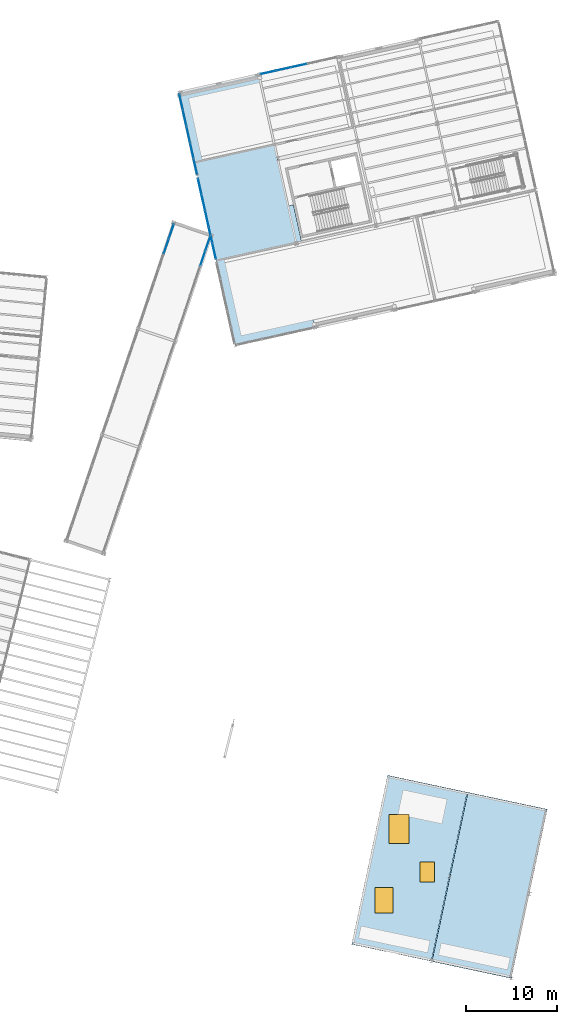
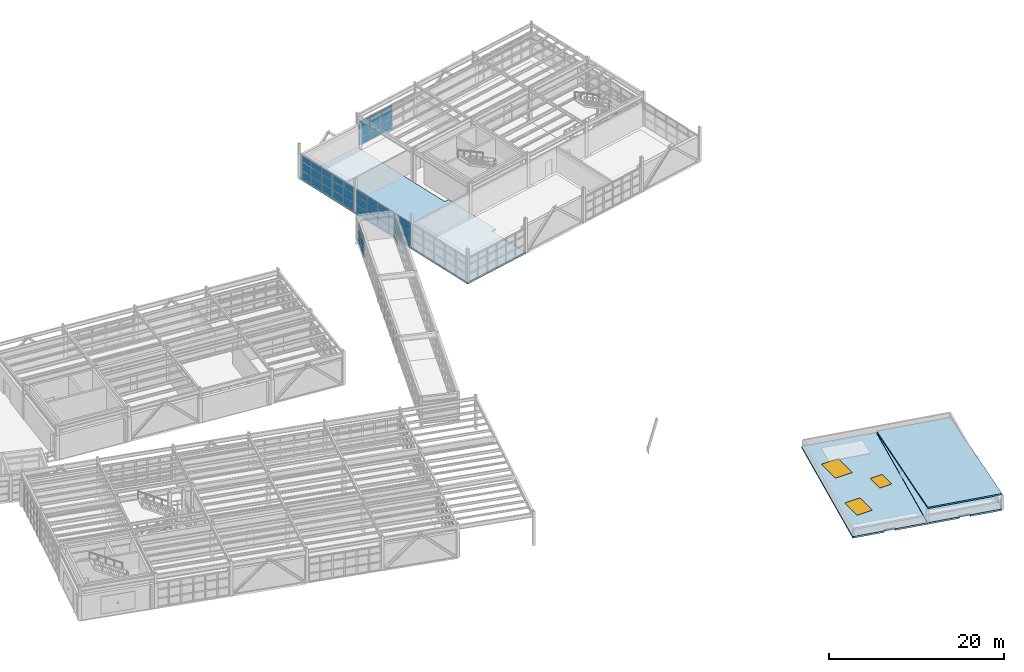
# One storey, part 71 of 102: 49 plates, 4 slabs, 3 windows, 3 openings, 5 elements without a shape of their own.
"""IFC4 building model written with IfcOpenShell, lengths in metres."""

import ifcopenshell
import ifcopenshell.guid

model = None  # the IFC model being written
_history = None  # IfcOwnerHistory: only IFC2X3 demands one
_inside = {}  # id of a spatial element -> (the spatial element, [elements in it])
_under = {}  # id of a project, library or spatial element -> (it, [spatial elements below it])
_declared = {}  # id of a project -> (the project, [libraries it declares])
_typed = {}  # id of a type object -> (the type object, [elements of that type])
_made_of = {}  # id of a material, layer set ... -> (it, [elements and type objects made of it])


def new_model(schema):
    """Start an empty IFC model of exactly this schema.

    Asked for "IFC4X3", IfcOpenShell would pick the latest addendum, in which some entities
    have other attributes; the version numbers below select the first issue.
    IFC2X3 requires an IfcOwnerHistory on every rooted entity: one is made here for all.
    """
    global model, _history
    if schema == "IFC4X3":
        model = ifcopenshell.file(schema_version=(4, 3, 0, 0))
    else:
        model = ifcopenshell.file(schema=schema)
    _inside.clear()
    _under.clear()
    _declared.clear()
    _typed.clear()
    _made_of.clear()
    _history = None
    if model.schema == "IFC2X3":
        org = make("IfcOrganization", Name="unknown")
        user = make(
            "IfcPersonAndOrganization",
            ThePerson=make("IfcPerson", FamilyName="unknown"),
            TheOrganization=org,
        )
        app = make(
            "IfcApplication",
            ApplicationDeveloper=org,
            Version="unknown",
            ApplicationFullName="unknown",
            ApplicationIdentifier="unknown",
        )
        _history = make(
            "IfcOwnerHistory",
            OwningUser=user,
            OwningApplication=app,
            ChangeAction="ADDED",
            CreationDate=0,
        )
    return model


def make(cls, **values):
    """One entity of the class cls with the attributes given. An attribute that is None is left unset."""
    return model.create_entity(
        cls, **{name: value for name, value in values.items() if value is not None}
    )


def rooted(cls, **values):
    """An entity with a GlobalId (a new one), such as an element, a storey or a relation."""
    return make(cls, GlobalId=ifcopenshell.guid.new(), OwnerHistory=_history, **values)


def si_unit(unit_type, name, prefix=None):
    """IfcSIUnit, for example si_unit("LENGTHUNIT", "METRE", prefix="MILLI")."""
    return make("IfcSIUnit", UnitType=unit_type, Prefix=prefix, Name=name)


def assignment(units):
    """IfcUnitAssignment: the units of a project."""
    return None if units is None else make("IfcUnitAssignment", Units=units)


def point(xyz):
    """IfcCartesianPoint."""
    return None if xyz is None else make("IfcCartesianPoint", Coordinates=xyz)


def direction(xyz):
    """IfcDirection."""
    return None if xyz is None else make("IfcDirection", DirectionRatios=xyz)


def frame(location, z_axis=None, x_axis=None):
    """IfcAxis2Placement3D, a coordinate frame: its origin and axes. An axis left out is left unset."""
    return make(
        "IfcAxis2Placement3D",
        Location=point(location),
        Axis=direction(z_axis),
        RefDirection=direction(x_axis),
    )


def frame_2d(location, x_axis=None):
    """IfcAxis2Placement2D, a coordinate frame in the plane: its origin and x axis."""
    return make(
        "IfcAxis2Placement2D", Location=point(location), RefDirection=direction(x_axis)
    )


def origin():
    """The frame at (0, 0, 0) with its axes left unset."""
    return frame((0.0, 0.0, 0.0))


def origin_2d():
    """The frame at (0, 0) in the plane with its x axis left unset."""
    return frame_2d((0.0, 0.0))


def place(relative_to, where):
    """IfcLocalPlacement: puts the frame where relative to a parent placement (None: the world)."""
    return make(
        "IfcLocalPlacement", PlacementRelTo=relative_to, RelativePlacement=where
    )


def context(
    kind, dimensions, precision=None, world=None, true_north=None, identifier=None
):
    """IfcGeometricRepresentationContext, for example the 3D "Model" context."""
    return make(
        "IfcGeometricRepresentationContext",
        ContextIdentifier=identifier,
        ContextType=kind,
        CoordinateSpaceDimension=dimensions,
        Precision=precision,
        WorldCoordinateSystem=world,
        TrueNorth=true_north,
    )


def subcontext(parent, identifier, kind, view, scale=None):
    """IfcGeometricRepresentationSubContext, for example "Body" below "Model"."""
    return make(
        "IfcGeometricRepresentationSubContext",
        ContextIdentifier=identifier,
        ContextType=kind,
        ParentContext=parent,
        TargetScale=scale,
        TargetView=view,
    )


def project(units=None, contexts=None):
    """IfcProject with its units and contexts."""
    return rooted(
        "IfcProject",
        Name="project",
        RepresentationContexts=contexts,
        UnitsInContext=assignment(units),
    )


def spatial(cls, under=None, at=None, **own):
    """A site, building, storey or space (cls), placed at a placement, below another one or the project."""
    s = rooted(cls, ObjectPlacement=at, **own)
    if under is not None:
        _under.setdefault(under.id(), (under, []))[1].append(s)
    return s


def polyline(points):
    """IfcPolyline through the points."""
    return make("IfcPolyline", Points=[point(p) for p in points])


def profile(cls, at=None, kind="AREA", **sizes):
    """A parametric profile (cls). Its sizes go by their IFC names, for example OverallWidth=200.0."""
    return make(cls, ProfileType=kind, Position=at, **sizes)


def rectangle(**sizes):
    """IfcRectangleProfileDef."""
    return profile("IfcRectangleProfileDef", **sizes)


def outline(outer, holes=None, kind="AREA"):
    """IfcArbitraryClosedProfileDef: a profile drawn as a closed curve; with holes, ...WithVoids."""
    if holes is None:
        return make("IfcArbitraryClosedProfileDef", ProfileType=kind, OuterCurve=outer)
    return make(
        "IfcArbitraryProfileDefWithVoids",
        ProfileType=kind,
        OuterCurve=outer,
        InnerCurves=holes,
    )


def extrude(swept, where, along, depth):
    """IfcExtrudedAreaSolid: the profile swept, set in the frame where, extruded along a direction by depth."""
    return make(
        "IfcExtrudedAreaSolid",
        SweptArea=swept,
        Position=where,
        ExtrudedDirection=direction(along),
        Depth=depth,
    )


def shape(context_of_items, identifier, shape_type, items):
    """IfcShapeRepresentation: the items that make up one representation, for example the "Body"."""
    return make(
        "IfcShapeRepresentation",
        ContextOfItems=context_of_items,
        RepresentationIdentifier=identifier,
        RepresentationType=shape_type,
        Items=items,
    )


def material(Name=None, Category=None):
    """IfcMaterial."""
    return make("IfcMaterial", Name=Name, Category=Category)


def layer(
    of_material, thickness, ventilated=None, Name=None, Category=None, Priority=None
):
    """IfcMaterialLayer: one layer of a wall or slab, of a material (None: an air gap)."""
    return make(
        "IfcMaterialLayer",
        Material=of_material,
        LayerThickness=thickness,
        IsVentilated=ventilated,
        Name=Name,
        Category=Category,
        Priority=Priority,
    )


def layer_set(layers, Name=None):
    """IfcMaterialLayerSet."""
    return make("IfcMaterialLayerSet", MaterialLayers=layers, LayerSetName=Name)


def made_of(thing, what):
    """Note that an element or type object is made of a material, layer set ...; save() writes the relation."""
    if what is not None:
        _made_of.setdefault(what.id(), (what, []))[1].append(thing)
    return thing


def type_object(cls, material=None, **own):
    """A type object (cls), such as IfcWallType, which elements share."""
    return made_of(rooted(cls, **own), material)


def element(
    cls,
    number,
    at=None,
    inside=None,
    cuts=None,
    type_object=None,
    material=None,
    context=None,
    identifier="Body",
    shape_type=None,
    held_by="IfcProductDefinitionShape",
    body=None,
    shapes=None,
    **own,
):
    """One element of the class cls, such as IfcWall. Its Tag is "e" and its number.

    at: its placement. inside: the storey or other place that contains it. cuts: it is an
    opening in that element (IfcRelVoidsElement). A single representation is given by context,
    identifier, shape_type and body (its items); several are given by shapes. held_by: the class
    of the entity that holds the representations. save() writes the other relations.
    """
    e = rooted(cls, Tag="e%d" % number, ObjectPlacement=at, **own)
    if body is not None:
        shapes = [shape(context, identifier, shape_type, body)]
    if shapes is not None:
        e.Representation = make(held_by, Representations=shapes)
    if inside is not None:
        _inside.setdefault(inside.id(), (inside, []))[1].append(e)
    if cuts is not None:
        rooted(
            "IfcRelVoidsElement", RelatingBuildingElement=cuts, RelatedOpeningElement=e
        )
    if type_object is not None:
        _typed.setdefault(type_object.id(), (type_object, []))[1].append(e)
    return made_of(e, material)


def fill(opening, filler):
    """IfcRelFillsElement: the door or window that sits in an opening."""
    return rooted(
        "IfcRelFillsElement",
        RelatingOpeningElement=opening,
        RelatedBuildingElement=filler,
    )


def aggregate(whole, parts):
    """IfcRelAggregates: a whole, such as a stair, and the parts it consists of."""
    return rooted("IfcRelAggregates", RelatingObject=whole, RelatedObjects=parts)


def save(model, path):
    """Write the relations noted so far, then the file.

    IfcRelAggregates (storeys below a building ...), IfcRelContainedInSpatialStructure (elements
    in a storey), IfcRelDefinesByType, IfcRelAssociatesMaterial and IfcRelDeclares: one each for
    every whole, place, type object, material and project.
    """
    for whole, parts in _under.values():
        aggregate(whole, parts)
    for where, things in _inside.values():
        rooted(
            "IfcRelContainedInSpatialStructure",
            RelatedElements=things,
            RelatingStructure=where,
        )
    for kind, things in _typed.values():
        rooted("IfcRelDefinesByType", RelatedObjects=things, RelatingType=kind)
    for what, things in _made_of.values():
        rooted("IfcRelAssociatesMaterial", RelatedObjects=things, RelatingMaterial=what)
    for by, libraries in _declared.values():
        rooted("IfcRelDeclares", RelatingContext=by, RelatedDefinitions=libraries)
    model.write(path)


model = new_model("IFC4")

# Units and contexts
model_context = context("Model", 3, precision=1e-05, world=origin(), true_north=direction((0.0, 1.0)))
body_context = subcontext(model_context, "Body", "Model", "MODEL_VIEW")
ifc_project = project(units=[si_unit("LENGTHUNIT", "METRE"), si_unit("AREAUNIT", "SQUARE_METRE"), si_unit("VOLUMEUNIT", "CUBIC_METRE"), si_unit("PLANEANGLEUNIT", "RADIAN"), si_unit("MASSUNIT", "GRAM", prefix="KILO")], contexts=[model_context])

# Site, building, storey
site_placement = place(None, origin())
site = spatial("IfcSite", under=ifc_project, at=site_placement, CompositionType="ELEMENT")
building_placement = place(site_placement, origin())
building = spatial("IfcBuilding", under=site, at=building_placement, Name="Vireo Bluff Cable Station", CompositionType="ELEMENT")
storey_placement = place(building_placement, frame((0.0, 0.0, 9.60009765625)))
storey = spatial("IfcBuildingStorey", under=building, at=storey_placement, Name="L02", CompositionType="ELEMENT", Elevation=9.60009765625)

# Curtain wall, plates
ifc_material_1 = material(Name="Anodized Aluminium 6063-T6", Category="aluminium")
ifc_layer_1 = layer(ifc_material_1, 0.159912109375, Name="Anodized Aluminium 6063-T6")
ifc_layer_set_1 = layer_set([ifc_layer_1], Name="Anodized Aluminium 6063-T6")
curtain_wall_type_1 = type_object("IfcCurtainWallType", Name="CW-STICK-1850", PredefinedType="USERDEFINED", material=ifc_layer_set_1)
curtain_wall_1_placement = place(storey_placement, origin())
curtain_wall_1 = element("IfcCurtainWall", 1, at=curtain_wall_1_placement, inside=storey, type_object=curtain_wall_type_1, Name="V2 L02 west curtain wall CW-055", ObjectType="STICK CURTAIN WALL", PredefinedType="USERDEFINED")
ifc_material_2 = material(Name="Laminated Low-E Insulated Glass", Category="glass")
ifc_layer_2 = layer(ifc_material_2, 0.028076171875, Name="Laminated Low-E Insulated Glass")
ifc_layer_set_2 = layer_set([ifc_layer_2], Name="Laminated Low-E Insulated Glass")
plate_type_1 = type_object("IfcPlateType", Name="CWP-28-1", PredefinedType="CURTAIN_PANEL", material=ifc_layer_set_2)
plate_1_placement = place(storey_placement, frame((121.648681640625, 93.627197265625, 0.080078125), z_axis=(0.0, 0.0, 1.0), x_axis=(-0.216439557384, 0.976296019658, 0.0)))
plate_1 = element("IfcPlate", 2, at=plate_1_placement, type_object=plate_type_1, Name="CW-055 panel 1.1", PredefinedType="CURTAIN_PANEL", context=body_context, shape_type="SweptSolid", body=[
    extrude(rectangle(XDim=1.720458984375, YDim=0.028076171875, at=origin_2d()), origin(), (0.0, 0.0, 1.0), 1.070068359375),
])
plate_2_placement = place(storey_placement, frame((121.648681640625, 93.627197265625, 1.22998046875), z_axis=(0.0, 0.0, 1.0), x_axis=(-0.216439557384, 0.976296019658, 0.0)))
plate_2 = element("IfcPlate", 3, at=plate_2_placement, type_object=plate_type_1, Name="CW-055 panel 1.2", PredefinedType="CURTAIN_PANEL", context=body_context, shape_type="SweptSolid", body=[
    extrude(rectangle(XDim=1.720458984375, YDim=0.028076171875, at=origin_2d()), origin(), (0.0, 0.0, 1.0), 1.177978515625),
])
plate_3_placement = place(storey_placement, frame((121.648681640625, 93.627197265625, 2.48779296875), z_axis=(0.0, 0.0, 1.0), x_axis=(-0.216439557384, 0.976296019658, 0.0)))
plate_3 = element("IfcPlate", 4, at=plate_3_placement, type_object=plate_type_1, Name="CW-055 panel 1.3", PredefinedType="CURTAIN_PANEL", context=body_context, shape_type="SweptSolid", body=[
    extrude(rectangle(XDim=1.720458984375, YDim=0.028076171875, at=origin_2d()), origin(), (0.0, 0.0, 1.0), 0.83203125),
])
plate_4_placement = place(storey_placement, frame((121.254638671875, 95.404541015625, 0.080078125), z_axis=(0.0, 0.0, 1.0), x_axis=(-0.216439557384, 0.976296019658, 0.0)))
plate_4 = element("IfcPlate", 5, at=plate_4_placement, type_object=plate_type_1, Name="CW-055 panel 2.1", PredefinedType="CURTAIN_PANEL", context=body_context, shape_type="SweptSolid", body=[
    extrude(rectangle(XDim=1.760498046875, YDim=0.028076171875, at=origin_2d()), origin(), (0.0, 0.0, 1.0), 1.070068359375),
])
plate_5_placement = place(storey_placement, frame((121.254638671875, 95.404541015625, 1.22998046875), z_axis=(0.0, 0.0, 1.0), x_axis=(-0.216439557384, 0.976296019658, 0.0)))
plate_5 = element("IfcPlate", 6, at=plate_5_placement, type_object=plate_type_1, Name="CW-055 panel 2.2", PredefinedType="CURTAIN_PANEL", context=body_context, shape_type="SweptSolid", body=[
    extrude(rectangle(XDim=1.760498046875, YDim=0.028076171875, at=origin_2d()), origin(), (0.0, 0.0, 1.0), 1.177978515625),
])
plate_6_placement = place(storey_placement, frame((121.254638671875, 95.404541015625, 2.48779296875), z_axis=(0.0, 0.0, 1.0), x_axis=(-0.216439557384, 0.976296019658, 0.0)))
plate_6 = element("IfcPlate", 7, at=plate_6_placement, type_object=plate_type_1, Name="CW-055 panel 2.3", PredefinedType="CURTAIN_PANEL", context=body_context, shape_type="SweptSolid", body=[
    extrude(rectangle(XDim=1.760498046875, YDim=0.028076171875, at=origin_2d()), origin(), (0.0, 0.0, 1.0), 0.83203125),
])
plate_7_placement = place(storey_placement, frame((120.8564453125, 97.201416015625, 0.080078125), z_axis=(0.0, 0.0, 1.0), x_axis=(-0.216439557384, 0.976296019658, 0.0)))
plate_7 = element("IfcPlate", 8, at=plate_7_placement, type_object=plate_type_1, Name="CW-055 panel 3.1", PredefinedType="CURTAIN_PANEL", context=body_context, shape_type="SweptSolid", body=[
    extrude(rectangle(XDim=1.760498046875, YDim=0.028076171875, at=origin_2d()), origin(), (0.0, 0.0, 1.0), 1.070068359375),
])
plate_8_placement = place(storey_placement, frame((120.8564453125, 97.201416015625, 1.22998046875), z_axis=(0.0, 0.0, 1.0), x_axis=(-0.216439557384, 0.976296019658, 0.0)))
plate_8 = element("IfcPlate", 9, at=plate_8_placement, type_object=plate_type_1, Name="CW-055 panel 3.2", PredefinedType="CURTAIN_PANEL", context=body_context, shape_type="SweptSolid", body=[
    extrude(rectangle(XDim=1.760498046875, YDim=0.028076171875, at=origin_2d()), origin(), (0.0, 0.0, 1.0), 1.177978515625),
])
plate_9_placement = place(storey_placement, frame((120.8564453125, 97.201416015625, 2.48779296875), z_axis=(0.0, 0.0, 1.0), x_axis=(-0.216439557384, 0.976296019658, 0.0)))
plate_9 = element("IfcPlate", 10, at=plate_9_placement, type_object=plate_type_1, Name="CW-055 panel 3.3", PredefinedType="CURTAIN_PANEL", context=body_context, shape_type="SweptSolid", body=[
    extrude(rectangle(XDim=1.760498046875, YDim=0.028076171875, at=origin_2d()), origin(), (0.0, 0.0, 1.0), 0.83203125),
])
plate_10_placement = place(storey_placement, frame((120.4580078125, 98.998291015625, 0.080078125), z_axis=(0.0, 0.0, 1.0), x_axis=(-0.216439557384, 0.976296019658, 0.0)))
plate_10 = element("IfcPlate", 11, at=plate_10_placement, type_object=plate_type_1, Name="CW-055 panel 4.1", PredefinedType="CURTAIN_PANEL", context=body_context, shape_type="SweptSolid", body=[
    extrude(rectangle(XDim=1.760498046875, YDim=0.028076171875, at=origin_2d()), origin(), (0.0, 0.0, 1.0), 1.070068359375),
])
plate_11_placement = place(storey_placement, frame((120.4580078125, 98.998291015625, 1.22998046875), z_axis=(0.0, 0.0, 1.0), x_axis=(-0.216439557384, 0.976296019658, 0.0)))
plate_11 = element("IfcPlate", 12, at=plate_11_placement, type_object=plate_type_1, Name="CW-055 panel 4.2", PredefinedType="CURTAIN_PANEL", context=body_context, shape_type="SweptSolid", body=[
    extrude(rectangle(XDim=1.760498046875, YDim=0.028076171875, at=origin_2d()), origin(), (0.0, 0.0, 1.0), 1.177978515625),
])
plate_12_placement = place(storey_placement, frame((120.4580078125, 98.998291015625, 2.48779296875), z_axis=(0.0, 0.0, 1.0), x_axis=(-0.216439557384, 0.976296019658, 0.0)))
plate_12 = element("IfcPlate", 13, at=plate_12_placement, type_object=plate_type_1, Name="CW-055 panel 4.3", PredefinedType="CURTAIN_PANEL", context=body_context, shape_type="SweptSolid", body=[
    extrude(rectangle(XDim=1.760498046875, YDim=0.028076171875, at=origin_2d()), origin(), (0.0, 0.0, 1.0), 0.83203125),
])
plate_13_placement = place(storey_placement, frame((120.06396484375, 100.775634765625, 0.080078125), z_axis=(0.0, 0.0, 1.0), x_axis=(-0.216439557384, 0.976296019658, 0.0)))
plate_13 = element("IfcPlate", 14, at=plate_13_placement, type_object=plate_type_1, Name="CW-055 panel 5.1", PredefinedType="CURTAIN_PANEL", context=body_context, shape_type="SweptSolid", body=[
    extrude(rectangle(XDim=1.720458984375, YDim=0.028076171875, at=origin_2d()), origin(), (0.0, 0.0, 1.0), 1.070068359375),
])
plate_14_placement = place(storey_placement, frame((120.06396484375, 100.775634765625, 1.22998046875), z_axis=(0.0, 0.0, 1.0), x_axis=(-0.216439557384, 0.976296019658, 0.0)))
plate_14 = element("IfcPlate", 15, at=plate_14_placement, type_object=plate_type_1, Name="CW-055 panel 5.2", PredefinedType="CURTAIN_PANEL", context=body_context, shape_type="SweptSolid", body=[
    extrude(rectangle(XDim=1.720458984375, YDim=0.028076171875, at=origin_2d()), origin(), (0.0, 0.0, 1.0), 1.177978515625),
])
plate_15_placement = place(storey_placement, frame((120.06396484375, 100.775634765625, 2.48779296875), z_axis=(0.0, 0.0, 1.0), x_axis=(-0.216439557384, 0.976296019658, 0.0)))
plate_15 = element("IfcPlate", 16, at=plate_15_placement, type_object=plate_type_1, Name="CW-055 panel 5.3", PredefinedType="CURTAIN_PANEL", context=body_context, shape_type="SweptSolid", body=[
    extrude(rectangle(XDim=1.720458984375, YDim=0.028076171875, at=origin_2d()), origin(), (0.0, 0.0, 1.0), 0.83203125),
])
aggregate(curtain_wall_1, [plate_1, plate_2, plate_3, plate_4, plate_5, plate_6, plate_7, plate_8, plate_9, plate_10, plate_11, plate_12, plate_13, plate_14, plate_15])

ifc_layer_3 = layer(ifc_material_1, 0.159912109375, Name="Anodized Aluminium 6063-T6")
ifc_layer_set_3 = layer_set([ifc_layer_3], Name="Anodized Aluminium 6063-T6")
curtain_wall_type_2 = type_object("IfcCurtainWallType", Name="CW-STICK-1750", PredefinedType="USERDEFINED", material=ifc_layer_set_3)
curtain_wall_2_placement = place(storey_placement, origin())
curtain_wall_2 = element("IfcCurtainWall", 17, at=curtain_wall_2_placement, inside=storey, type_object=curtain_wall_type_2, Name="SKYBR L02 HAUL-DRIVE-3L curtain wall CW-150", ObjectType="STICK CURTAIN WALL", PredefinedType="USERDEFINED")
plate_16_placement = place(storey_placement, frame((122.4541015625, 83.548828125, 2.103515625), z_axis=(0.0, 0.0, 1.0), x_axis=(0.320353719222, 0.947297996715, 0.0)))
plate_16 = element("IfcPlate", 18, at=plate_16_placement, type_object=plate_type_1, Name="CW-150 panel 6.3", PredefinedType="CURTAIN_PANEL", context=body_context, shape_type="SweptSolid", body=[
    extrude(rectangle(XDim=1.6650390625, YDim=0.028076171875, at=origin_2d()), origin(), (0.0, 0.0, 1.0), 0.71630859375),
])
plate_17_placement = place(storey_placement, frame((123.001953125, 85.168701171875, 0.059814453125), z_axis=(0.0, 0.0, 1.0), x_axis=(0.320353719222, 0.947297996715, 0.0)))
plate_17 = element("IfcPlate", 19, at=plate_17_placement, type_object=plate_type_1, Name="CW-150 panel 7.1", PredefinedType="CURTAIN_PANEL", context=body_context, shape_type="SweptSolid", body=[
    extrude(rectangle(XDim=1.635009765625, YDim=0.028076171875, at=origin_2d()), origin(), (0.0, 0.0, 1.0), 0.91796875),
])
plate_18_placement = place(storey_placement, frame((123.001953125, 85.168701171875, 1.0380859375), z_axis=(0.0, 0.0, 1.0), x_axis=(0.320353719222, 0.947297996715, 0.0)))
plate_18 = element("IfcPlate", 20, at=plate_18_placement, type_object=plate_type_1, Name="CW-150 panel 7.2", PredefinedType="CURTAIN_PANEL", context=body_context, shape_type="SweptSolid", body=[
    extrude(rectangle(XDim=1.635009765625, YDim=0.028076171875, at=origin_2d()), origin(), (0.0, 0.0, 1.0), 1.005615234375),
])
plate_19_placement = place(storey_placement, frame((123.001953125, 85.168701171875, 2.103515625), z_axis=(0.0, 0.0, 1.0), x_axis=(0.320353719222, 0.947297996715, 0.0)))
plate_19 = element("IfcPlate", 21, at=plate_19_placement, type_object=plate_type_1, Name="CW-150 panel 7.3", PredefinedType="CURTAIN_PANEL", context=body_context, shape_type="SweptSolid", body=[
    extrude(rectangle(XDim=1.635009765625, YDim=0.028076171875, at=origin_2d()), origin(), (0.0, 0.0, 1.0), 0.71630859375),
])
aggregate(curtain_wall_2, [plate_16, plate_17, plate_18, plate_19])

ifc_layer_4 = layer(ifc_material_1, 0.179931640625, Name="Anodized Aluminium 6063-T6")
ifc_layer_set_4 = layer_set([ifc_layer_4], Name="Anodized Aluminium 6063-T6")
curtain_wall_type_3 = type_object("IfcCurtainWallType", Name="CW-UNIT-1650", PredefinedType="USERDEFINED", material=ifc_layer_set_4)
curtain_wall_3_placement = place(storey_placement, origin())
curtain_wall_3 = element("IfcCurtainWall", 22, at=curtain_wall_3_placement, inside=storey, type_object=curtain_wall_type_3, Name="V2 L02 north curtain wall CW-056", ObjectType="UNITISED CURTAIN WALL", PredefinedType="USERDEFINED")
ifc_layer_5 = layer(ifc_material_2, 0.031982421875, Name="Laminated Low-E Insulated Glass")
ifc_layer_set_5 = layer_set([ifc_layer_5], Name="Laminated Low-E Insulated Glass")
plate_type_2 = type_object("IfcPlateType", Name="CWP-32-2", PredefinedType="CURTAIN_PANEL", material=ifc_layer_set_5)
plate_20_placement = place(storey_placement, frame((129.63671875, 103.998291015625, 0.06494140625), z_axis=(0.0, 0.0, 1.0), x_axis=(0.976296009224, 0.216439604447, 0.0)))
plate_20 = element("IfcPlate", 23, at=plate_20_placement, type_object=plate_type_2, Name="CW-056 panel 1.1", PredefinedType="CURTAIN_PANEL", context=body_context, shape_type="SweptSolid", body=[
    extrude(rectangle(XDim=1.639404296875, YDim=0.031982421875, at=origin_2d()), origin(), (0.0, 0.0, 1.0), 1.092529296875),
])
plate_21_placement = place(storey_placement, frame((129.63671875, 103.998291015625, 1.22216796875), z_axis=(0.0, 0.0, 1.0), x_axis=(0.976296009224, 0.216439604447, 0.0)))
plate_21 = element("IfcPlate", 24, at=plate_21_placement, type_object=plate_type_2, Name="CW-056 panel 1.2", PredefinedType="CURTAIN_PANEL", context=body_context, shape_type="SweptSolid", body=[
    extrude(rectangle(XDim=1.639404296875, YDim=0.031982421875, at=origin_2d()), origin(), (0.0, 0.0, 1.0), 1.193115234375),
])
plate_22_placement = place(storey_placement, frame((129.63671875, 103.998291015625, 2.48046875), z_axis=(0.0, 0.0, 1.0), x_axis=(0.976296009224, 0.216439604447, 0.0)))
plate_22 = element("IfcPlate", 25, at=plate_22_placement, type_object=plate_type_2, Name="CW-056 panel 1.3", PredefinedType="CURTAIN_PANEL", context=body_context, shape_type="SweptSolid", body=[
    extrude(rectangle(XDim=1.639404296875, YDim=0.031982421875, at=origin_2d()), origin(), (0.0, 0.0, 1.0), 0.8544921875),
])
plate_23_placement = place(storey_placement, frame((131.316650390625, 104.37060546875, 0.06494140625), z_axis=(0.0, 0.0, 1.0), x_axis=(0.976296009224, 0.216439604447, 0.0)))
plate_23 = element("IfcPlate", 26, at=plate_23_placement, type_object=plate_type_2, Name="CW-056 panel 2.1", PredefinedType="CURTAIN_PANEL", context=body_context, shape_type="SweptSolid", body=[
    extrude(rectangle(XDim=1.672119140625, YDim=0.031982421875, at=origin_2d()), origin(), (0.0, 0.0, 1.0), 1.092529296875),
])
plate_24_placement = place(storey_placement, frame((131.316650390625, 104.37060546875, 1.22216796875), z_axis=(0.0, 0.0, 1.0), x_axis=(0.976296009224, 0.216439604447, 0.0)))
plate_24 = element("IfcPlate", 27, at=plate_24_placement, type_object=plate_type_2, Name="CW-056 panel 2.2", PredefinedType="CURTAIN_PANEL", context=body_context, shape_type="SweptSolid", body=[
    extrude(rectangle(XDim=1.672119140625, YDim=0.031982421875, at=origin_2d()), origin(), (0.0, 0.0, 1.0), 1.193115234375),
])
plate_25_placement = place(storey_placement, frame((131.316650390625, 104.37060546875, 2.48046875), z_axis=(0.0, 0.0, 1.0), x_axis=(0.976296009224, 0.216439604447, 0.0)))
plate_25 = element("IfcPlate", 28, at=plate_25_placement, type_object=plate_type_2, Name="CW-056 panel 2.3", PredefinedType="CURTAIN_PANEL", context=body_context, shape_type="SweptSolid", body=[
    extrude(rectangle(XDim=1.672119140625, YDim=0.031982421875, at=origin_2d()), origin(), (0.0, 0.0, 1.0), 0.8544921875),
])
plate_26_placement = place(storey_placement, frame((133.012451171875, 104.74658203125, 0.06494140625), z_axis=(0.0, 0.0, 1.0), x_axis=(0.976296009224, 0.216439604447, 0.0)))
plate_26 = element("IfcPlate", 29, at=plate_26_placement, type_object=plate_type_2, Name="CW-056 panel 3.1", PredefinedType="CURTAIN_PANEL", context=body_context, shape_type="SweptSolid", body=[
    extrude(rectangle(XDim=1.672119140625, YDim=0.031982421875, at=origin_2d()), origin(), (0.0, 0.0, 1.0), 1.092529296875),
])
plate_27_placement = place(storey_placement, frame((133.012451171875, 104.74658203125, 1.22216796875), z_axis=(0.0, 0.0, 1.0), x_axis=(0.976296009224, 0.216439604447, 0.0)))
plate_27 = element("IfcPlate", 30, at=plate_27_placement, type_object=plate_type_2, Name="CW-056 panel 3.2", PredefinedType="CURTAIN_PANEL", context=body_context, shape_type="SweptSolid", body=[
    extrude(rectangle(XDim=1.672119140625, YDim=0.031982421875, at=origin_2d()), origin(), (0.0, 0.0, 1.0), 1.193115234375),
])
plate_28_placement = place(storey_placement, frame((133.012451171875, 104.74658203125, 2.48046875), z_axis=(0.0, 0.0, 1.0), x_axis=(0.976296009224, 0.216439604447, 0.0)))
plate_28 = element("IfcPlate", 31, at=plate_28_placement, type_object=plate_type_2, Name="CW-056 panel 3.3", PredefinedType="CURTAIN_PANEL", context=body_context, shape_type="SweptSolid", body=[
    extrude(rectangle(XDim=1.672119140625, YDim=0.031982421875, at=origin_2d()), origin(), (0.0, 0.0, 1.0), 0.8544921875),
])
aggregate(curtain_wall_3, [plate_20, plate_21, plate_22, plate_23, plate_24, plate_25, plate_26, plate_27, plate_28])

curtain_wall_4_placement = place(storey_placement, origin())
curtain_wall_4 = element("IfcCurtainWall", 32, at=curtain_wall_4_placement, inside=storey, type_object=curtain_wall_type_1, Name="SKYBR L02 HAUL-DRIVE-3R curtain wall CW-151", ObjectType="STICK CURTAIN WALL", PredefinedType="USERDEFINED")
plate_29_placement = place(storey_placement, frame((118.45263671875, 84.902099609375, 0.080078125), z_axis=(0.0, 0.0, 1.0), x_axis=(0.320353719222, 0.947297996715, 0.0)))
plate_29 = element("IfcPlate", 33, at=plate_29_placement, type_object=plate_type_2, Name="CW-151 panel 6.1", PredefinedType="CURTAIN_PANEL", context=body_context, shape_type="SweptSolid", body=[
    extrude(rectangle(XDim=1.64501953125, YDim=0.031982421875, at=origin_2d()), origin(), (0.0, 0.0, 1.0), 0.887939453125),
])
plate_30_placement = place(storey_placement, frame((118.45263671875, 84.902099609375, 1.0478515625), z_axis=(0.0, 0.0, 1.0), x_axis=(0.320353719222, 0.947297996715, 0.0)))
plate_30 = element("IfcPlate", 34, at=plate_30_placement, type_object=plate_type_2, Name="CW-151 panel 6.2", PredefinedType="CURTAIN_PANEL", context=body_context, shape_type="SweptSolid", body=[
    extrude(rectangle(XDim=1.64501953125, YDim=0.031982421875, at=origin_2d()), origin(), (0.0, 0.0, 1.0), 0.985595703125),
])
plate_31_placement = place(storey_placement, frame((118.45263671875, 84.902099609375, 2.11376953125), z_axis=(0.0, 0.0, 1.0), x_axis=(0.320353719222, 0.947297996715, 0.0)))
plate_31 = element("IfcPlate", 35, at=plate_31_placement, type_object=plate_type_2, Name="CW-151 panel 6.3", PredefinedType="CURTAIN_PANEL", context=body_context, shape_type="SweptSolid", body=[
    extrude(rectangle(XDim=1.64501953125, YDim=0.031982421875, at=origin_2d()), origin(), (0.0, 0.0, 1.0), 0.686279296875),
])
plate_32_placement = place(storey_placement, frame((118.998779296875, 86.517333984375, 0.080078125), z_axis=(0.0, 0.0, 1.0), x_axis=(0.320353719222, 0.947297996715, 0.0)))
plate_32 = element("IfcPlate", 36, at=plate_32_placement, type_object=plate_type_2, Name="CW-151 panel 7.1", PredefinedType="CURTAIN_PANEL", context=body_context, shape_type="SweptSolid", body=[
    extrude(rectangle(XDim=1.60498046875, YDim=0.031982421875, at=origin_2d()), origin(), (0.0, 0.0, 1.0), 0.887939453125),
])
plate_33_placement = place(storey_placement, frame((118.998779296875, 86.517333984375, 1.0478515625), z_axis=(0.0, 0.0, 1.0), x_axis=(0.320353719222, 0.947297996715, 0.0)))
plate_33 = element("IfcPlate", 37, at=plate_33_placement, type_object=plate_type_2, Name="CW-151 panel 7.2", PredefinedType="CURTAIN_PANEL", context=body_context, shape_type="SweptSolid", body=[
    extrude(rectangle(XDim=1.60498046875, YDim=0.031982421875, at=origin_2d()), origin(), (0.0, 0.0, 1.0), 0.985595703125),
])
plate_34_placement = place(storey_placement, frame((118.998779296875, 86.517333984375, 2.11376953125), z_axis=(0.0, 0.0, 1.0), x_axis=(0.320353719222, 0.947297996715, 0.0)))
plate_34 = element("IfcPlate", 38, at=plate_34_placement, type_object=plate_type_2, Name="CW-151 panel 7.3", PredefinedType="CURTAIN_PANEL", context=body_context, shape_type="SweptSolid", body=[
    extrude(rectangle(XDim=1.60498046875, YDim=0.031982421875, at=origin_2d()), origin(), (0.0, 0.0, 1.0), 0.686279296875),
])
aggregate(curtain_wall_4, [plate_29, plate_30, plate_31, plate_32, plate_33, plate_34])

curtain_wall_5_placement = place(storey_placement, origin())
curtain_wall_5 = element("IfcCurtainWall", 39, at=curtain_wall_5_placement, inside=storey, type_object=curtain_wall_type_2, Name="V2 L02 west curtain wall CW-054", ObjectType="STICK CURTAIN WALL", PredefinedType="USERDEFINED")
ifc_material_3 = material(Name="Insulated Spandrel Glass Panel", Category="glass")
ifc_layer_6 = layer(ifc_material_3, 0.048095703125, Name="Insulated Spandrel Glass Panel")
ifc_layer_set_6 = layer_set([ifc_layer_6], Name="Insulated Spandrel Glass Panel")
plate_type_3 = type_object("IfcPlateType", Name="CWP-48-5", PredefinedType="CURTAIN_PANEL", material=ifc_layer_set_6)
plate_35_placement = place(storey_placement, frame((123.70556640625, 84.34912109375, 0.059814453125), z_axis=(0.0, 0.0, 1.0), x_axis=(-0.216439673577, 0.976295993898, 0.0)))
plate_35 = element("IfcPlate", 40, at=plate_35_placement, type_object=plate_type_3, Name="CW-054 panel 1.1", PredefinedType="CURTAIN_PANEL", context=body_context, shape_type="SweptSolid", body=[
    extrude(rectangle(XDim=1.74365234375, YDim=0.048095703125, at=origin_2d()), origin(), (0.0, 0.0, 1.0), 1.10009765625),
])
plate_36_placement = place(storey_placement, frame((123.70556640625, 84.34912109375, 1.2197265625), z_axis=(0.0, 0.0, 1.0), x_axis=(-0.216439673577, 0.976295993898, 0.0)))
plate_36 = element("IfcPlate", 41, at=plate_36_placement, type_object=plate_type_3, Name="CW-054 panel 1.2", PredefinedType="CURTAIN_PANEL", context=body_context, shape_type="SweptSolid", body=[
    extrude(rectangle(XDim=1.74365234375, YDim=0.048095703125, at=origin_2d()), origin(), (0.0, 0.0, 1.0), 1.197998046875),
])
plate_37_placement = place(storey_placement, frame((123.70556640625, 84.34912109375, 2.47802734375), z_axis=(0.0, 0.0, 1.0), x_axis=(-0.216439673577, 0.976295993898, 0.0)))
plate_37 = element("IfcPlate", 42, at=plate_37_placement, type_object=plate_type_3, Name="CW-054 panel 1.3", PredefinedType="CURTAIN_PANEL", context=body_context, shape_type="SweptSolid", body=[
    extrude(rectangle(XDim=1.74365234375, YDim=0.048095703125, at=origin_2d()), origin(), (0.0, 0.0, 1.0), 0.862060546875),
])
plate_38_placement = place(storey_placement, frame((123.31201171875, 86.12451171875, 0.059814453125), z_axis=(0.0, 0.0, 1.0), x_axis=(-0.216439673577, 0.976295993898, 0.0)))
plate_38 = element("IfcPlate", 43, at=plate_38_placement, type_object=plate_type_3, Name="CW-054 panel 2.1", PredefinedType="CURTAIN_PANEL", context=body_context, shape_type="SweptSolid", body=[
    extrude(rectangle(XDim=1.773681640625, YDim=0.048095703125, at=origin_2d()), origin(), (0.0, 0.0, 1.0), 1.10009765625),
])
plate_39_placement = place(storey_placement, frame((123.31201171875, 86.12451171875, 1.2197265625), z_axis=(0.0, 0.0, 1.0), x_axis=(-0.216439673577, 0.976295993898, 0.0)))
plate_39 = element("IfcPlate", 44, at=plate_39_placement, type_object=plate_type_3, Name="CW-054 panel 2.2", PredefinedType="CURTAIN_PANEL", context=body_context, shape_type="SweptSolid", body=[
    extrude(rectangle(XDim=1.773681640625, YDim=0.048095703125, at=origin_2d()), origin(), (0.0, 0.0, 1.0), 1.197998046875),
])
plate_40_placement = place(storey_placement, frame((123.31201171875, 86.12451171875, 2.47802734375), z_axis=(0.0, 0.0, 1.0), x_axis=(-0.216439673577, 0.976295993898, 0.0)))
plate_40 = element("IfcPlate", 45, at=plate_40_placement, type_object=plate_type_3, Name="CW-054 panel 2.3", PredefinedType="CURTAIN_PANEL", context=body_context, shape_type="SweptSolid", body=[
    extrude(rectangle(XDim=1.773681640625, YDim=0.048095703125, at=origin_2d()), origin(), (0.0, 0.0, 1.0), 0.862060546875),
])
plate_41_placement = place(storey_placement, frame((122.915283203125, 87.91455078125, 0.059814453125), z_axis=(0.0, 0.0, 1.0), x_axis=(-0.216439673577, 0.976295993898, 0.0)))
plate_41 = element("IfcPlate", 46, at=plate_41_placement, type_object=plate_type_3, Name="CW-054 panel 3.1", PredefinedType="CURTAIN_PANEL", context=body_context, shape_type="SweptSolid", body=[
    extrude(rectangle(XDim=1.773681640625, YDim=0.048095703125, at=origin_2d()), origin(), (0.0, 0.0, 1.0), 1.10009765625),
])
plate_42_placement = place(storey_placement, frame((122.915283203125, 87.91455078125, 1.2197265625), z_axis=(0.0, 0.0, 1.0), x_axis=(-0.216439673577, 0.976295993898, 0.0)))
plate_42 = element("IfcPlate", 47, at=plate_42_placement, type_object=plate_type_3, Name="CW-054 panel 3.2", PredefinedType="CURTAIN_PANEL", context=body_context, shape_type="SweptSolid", body=[
    extrude(rectangle(XDim=1.773681640625, YDim=0.048095703125, at=origin_2d()), origin(), (0.0, 0.0, 1.0), 1.197998046875),
])
plate_43_placement = place(storey_placement, frame((122.915283203125, 87.91455078125, 2.47802734375), z_axis=(0.0, 0.0, 1.0), x_axis=(-0.216439673577, 0.976295993898, 0.0)))
plate_43 = element("IfcPlate", 48, at=plate_43_placement, type_object=plate_type_3, Name="CW-054 panel 3.3", PredefinedType="CURTAIN_PANEL", context=body_context, shape_type="SweptSolid", body=[
    extrude(rectangle(XDim=1.773681640625, YDim=0.048095703125, at=origin_2d()), origin(), (0.0, 0.0, 1.0), 0.862060546875),
])
plate_44_placement = place(storey_placement, frame((122.518310546875, 89.704833984375, 0.059814453125), z_axis=(0.0, 0.0, 1.0), x_axis=(-0.216439673577, 0.976295993898, 0.0)))
plate_44 = element("IfcPlate", 49, at=plate_44_placement, type_object=plate_type_3, Name="CW-054 panel 4.1", PredefinedType="CURTAIN_PANEL", context=body_context, shape_type="SweptSolid", body=[
    extrude(rectangle(XDim=1.773681640625, YDim=0.048095703125, at=origin_2d()), origin(), (0.0, 0.0, 1.0), 1.10009765625),
])
plate_45_placement = place(storey_placement, frame((122.518310546875, 89.704833984375, 1.2197265625), z_axis=(0.0, 0.0, 1.0), x_axis=(-0.216439673577, 0.976295993898, 0.0)))
plate_45 = element("IfcPlate", 50, at=plate_45_placement, type_object=plate_type_3, Name="CW-054 panel 4.2", PredefinedType="CURTAIN_PANEL", context=body_context, shape_type="SweptSolid", body=[
    extrude(rectangle(XDim=1.773681640625, YDim=0.048095703125, at=origin_2d()), origin(), (0.0, 0.0, 1.0), 1.197998046875),
])
plate_46_placement = place(storey_placement, frame((122.518310546875, 89.704833984375, 2.47802734375), z_axis=(0.0, 0.0, 1.0), x_axis=(-0.216439673577, 0.976295993898, 0.0)))
plate_46 = element("IfcPlate", 51, at=plate_46_placement, type_object=plate_type_3, Name="CW-054 panel 4.3", PredefinedType="CURTAIN_PANEL", context=body_context, shape_type="SweptSolid", body=[
    extrude(rectangle(XDim=1.773681640625, YDim=0.048095703125, at=origin_2d()), origin(), (0.0, 0.0, 1.0), 0.862060546875),
])
plate_47_placement = place(storey_placement, frame((122.124755859375, 91.480224609375, 0.059814453125), z_axis=(0.0, 0.0, 1.0), x_axis=(-0.216439673577, 0.976295993898, 0.0)))
plate_47 = element("IfcPlate", 52, at=plate_47_placement, type_object=plate_type_3, Name="CW-054 panel 5.1", PredefinedType="CURTAIN_PANEL", context=body_context, shape_type="SweptSolid", body=[
    extrude(rectangle(XDim=1.74365234375, YDim=0.048095703125, at=origin_2d()), origin(), (0.0, 0.0, 1.0), 1.10009765625),
])
plate_48_placement = place(storey_placement, frame((122.124755859375, 91.480224609375, 1.2197265625), z_axis=(0.0, 0.0, 1.0), x_axis=(-0.216439673577, 0.976295993898, 0.0)))
plate_48 = element("IfcPlate", 53, at=plate_48_placement, type_object=plate_type_3, Name="CW-054 panel 5.2", PredefinedType="CURTAIN_PANEL", context=body_context, shape_type="SweptSolid", body=[
    extrude(rectangle(XDim=1.74365234375, YDim=0.048095703125, at=origin_2d()), origin(), (0.0, 0.0, 1.0), 1.197998046875),
])
plate_49_placement = place(storey_placement, frame((122.124755859375, 91.480224609375, 2.47802734375), z_axis=(0.0, 0.0, 1.0), x_axis=(-0.216439673577, 0.976295993898, 0.0)))
plate_49 = element("IfcPlate", 54, at=plate_49_placement, type_object=plate_type_3, Name="CW-054 panel 5.3", PredefinedType="CURTAIN_PANEL", context=body_context, shape_type="SweptSolid", body=[
    extrude(rectangle(XDim=1.74365234375, YDim=0.048095703125, at=origin_2d()), origin(), (0.0, 0.0, 1.0), 0.862060546875),
])
aggregate(curtain_wall_5, [plate_35, plate_36, plate_37, plate_38, plate_39, plate_40, plate_41, plate_42, plate_43, plate_44, plate_45, plate_46, plate_47, plate_48, plate_49])

# Slabs
ifc_material_4 = material(Name="Concrete f'c 40 MPa", Category="concrete")
ifc_layer_7 = layer(ifc_material_4, 0.219970703125, Name="Concrete f'c 40 MPa")
ifc_layer_set_7 = layer_set([ifc_layer_7], Name="Concrete f'c 40 MPa")
slab_type_1 = type_object("IfcSlabType", Name="FLOORSLAB-220", PredefinedType="FLOOR", material=ifc_layer_set_7)
slab_1_placement = place(storey_placement, frame((0.0, 0.0, -0.22021484375)))
element("IfcSlab", 55, at=slab_1_placement, inside=storey, type_object=slab_type_1, Name="V2 L02 floor slab bay 1", PredefinedType="FLOOR", context=body_context, shape_type="SweptSolid", body=[
    extrude(outline(polyline([(126.0, 74.0), (134.77685546875, 75.94580078125), (133.543212890625, 81.5107421875), (134.1484375, 81.644775390625), (132.42138671875, 89.435791015625), (131.81591796875, 89.301513671875), (128.6083984375, 103.770263671875), (119.83154296875, 101.824462890625), (126.0, 74.0)])), origin(), (0.0, 0.0, 1.0), 0.22021484375),
])
ifc_material_5 = material(Name="Concrete f'c 50 MPa", Category="concrete")
ifc_layer_8 = layer(ifc_material_5, 0.18994140625, Name="Concrete f'c 50 MPa")
ifc_layer_set_8 = layer_set([ifc_layer_8], Name="Concrete f'c 50 MPa")
slab_type_2 = type_object("IfcSlabType", Name="ROOFSLAB-190-2", PredefinedType="ROOF", material=ifc_layer_set_8)
slab_2_placement = place(storey_placement, frame((151.60595703125, 24.83203125, 0.179931640625), z_axis=(0.021334771546, 0.100368707224, 0.994721544018), x_axis=(0.978148299052, -0.207908405458, -1.078314e-06)))
element("IfcSlab", 56, at=slab_2_placement, inside=storey, type_object=slab_type_2, Name="V5E deconstructivist prow roof shard", PredefinedType="ROOF", context=body_context, shape_type="SweptSolid", body=[
    extrude(outline(polyline([(0.0, 0.0), (8.899797779363073, 2.220446049250313e-16), (8.899888434070602, -19.100949267602186), (-0.00019890991759484794, -19.100762213318138), (0.0, 0.0)])), origin(), (0.0, 0.0, -1.0), 0.179931640625),
])

# Slab, openings, windows
ifc_layer_9 = layer(ifc_material_5, 0.239990234375, Name="Concrete f'c 50 MPa")
ifc_layer_set_9 = layer_set([ifc_layer_9], Name="Concrete f'c 50 MPa")
slab_type_3 = type_object("IfcSlabType", Name="ROOFSLAB-240-5", PredefinedType="ROOF", material=ifc_layer_set_9)
slab_3_placement = place(storey_placement, frame((0.0, 0.0, -0.239990234375)))
slab_3 = element("IfcSlab", 57, at=slab_3_placement, inside=storey, type_object=slab_type_3, Name="V5E upper roof slab 1", PredefinedType="ROOF", context=body_context, shape_type="SweptSolid", body=[
    extrude(outline(polyline([(138.822998046875, 8.124755859375), (142.569091796875, 7.328369140625), (142.614990234375, 7.54345703125), (143.886474609375, 7.273193359375), (143.8408203125, 7.05810546875), (147.587158203125, 6.26171875), (151.537353515625, 24.846435546875), (142.773193359375, 26.70947265625), (138.822998046875, 8.124755859375)])), origin(), (0.0, 0.0, 1.0), 0.239990234375),
])
opening_1_placement = place(slab_3_placement, frame((142.392333984375, 12.98876953125, -0.010009765625)))
opening_1 = element("IfcOpeningElement", 58, at=opening_1_placement, cuts=slab_3, Name="Opening SK-02", PredefinedType="OPENING", context=body_context, shape_type="SweptSolid", body=[
    extrude(rectangle(XDim=2.0, YDim=2.800048828125, at=origin_2d()), origin(), (0.0, 0.0, 1.0), 0.260009765625),
])
opening_2_placement = place(slab_3_placement, frame((144.055419921875, 20.81396484375, -0.010009765625)))
opening_2 = element("IfcOpeningElement", 59, at=opening_2_placement, cuts=slab_3, Name="Opening SK-03", PredefinedType="OPENING", context=body_context, shape_type="SweptSolid", body=[
    extrude(rectangle(XDim=2.199951171875, YDim=3.199951171875, at=origin_2d()), origin(), (0.0, 0.0, 1.0), 0.260009765625),
])
opening_3_placement = place(slab_3_placement, frame((147.136474609375, 16.06982421875, -0.010009765625)))
opening_3 = element("IfcOpeningElement", 60, at=opening_3_placement, cuts=slab_3, Name="Opening SK-04", PredefinedType="OPENING", context=body_context, shape_type="SweptSolid", body=[
    extrude(rectangle(XDim=1.60009765625, YDim=2.199951171875, at=origin_2d()), origin(), (0.0, 0.0, 1.0), 0.260009765625),
])
window_type_1 = type_object("IfcWindowType", Name="SKY-1600X2200", PartitioningType="SINGLE_PANEL", PredefinedType="SKYLIGHT", material=ifc_material_2)
window_1_placement = place(opening_3_placement, frame((0.0, 0.0, 0.18994140625)))
window_1 = element("IfcWindow", 61, at=window_1_placement, inside=storey, type_object=window_type_1, Name="V5E L02 roof skylight 8", OverallHeight=2.199951171875, OverallWidth=1.60009765625, PartitioningType="SINGLE_PANEL", PredefinedType="SKYLIGHT", context=body_context, shape_type="SweptSolid", body=[
    extrude(rectangle(XDim=1.60009765625, YDim=2.199951171875, at=origin_2d()), origin(), (0.0, 0.0, 1.0), 0.06005859375),
])
fill(opening_3, window_1)
window_type_2 = type_object("IfcWindowType", Name="SKY-2000X2800", PartitioningType="SINGLE_PANEL", PredefinedType="SKYLIGHT", material=ifc_material_2)
window_2_placement = place(opening_1_placement, frame((0.0, 0.0, 0.18994140625)))
window_2 = element("IfcWindow", 62, at=window_2_placement, inside=storey, type_object=window_type_2, Name="V5E L02 roof skylight 6", OverallHeight=2.800048828125, OverallWidth=2.0, PartitioningType="SINGLE_PANEL", PredefinedType="SKYLIGHT", context=body_context, shape_type="SweptSolid", body=[
    extrude(rectangle(XDim=2.0, YDim=2.800048828125, at=origin_2d()), origin(), (0.0, 0.0, 1.0), 0.06005859375),
])
fill(opening_1, window_2)
window_type_3 = type_object("IfcWindowType", Name="SKY-2200X3200", PartitioningType="SINGLE_PANEL", PredefinedType="SKYLIGHT", material=ifc_material_2)
window_3_placement = place(opening_2_placement, frame((0.0, 0.0, 0.18994140625)))
window_3 = element("IfcWindow", 63, at=window_3_placement, inside=storey, type_object=window_type_3, Name="V5E L02 roof skylight 7", OverallHeight=3.199951171875, OverallWidth=2.199951171875, PartitioningType="SINGLE_PANEL", PredefinedType="SKYLIGHT", context=body_context, shape_type="SweptSolid", body=[
    extrude(rectangle(XDim=2.199951171875, YDim=3.199951171875, at=origin_2d()), origin(), (0.0, 0.0, 1.0), 0.06005859375),
])
fill(opening_2, window_3)

# Slab
slab_4_placement = place(storey_placement, frame((0.0, 0.0, -0.239990234375)))
element("IfcSlab", 64, at=slab_4_placement, inside=storey, type_object=slab_type_3, Name="V5E upper roof slab 2", PredefinedType="ROOF", context=body_context, shape_type="SweptSolid", body=[
    extrude(outline(polyline([(147.626220703125, 6.25341796875), (151.37255859375, 5.45703125), (151.418212890625, 5.67236328125), (152.68994140625, 5.402099609375), (152.64404296875, 5.186767578125), (156.390380859375, 4.390625), (160.3408203125, 22.975341796875), (151.57666015625, 24.838134765625), (147.626220703125, 6.25341796875)])), origin(), (0.0, 0.0, 1.0), 0.239990234375),
])

save(model, "model.ifc")
